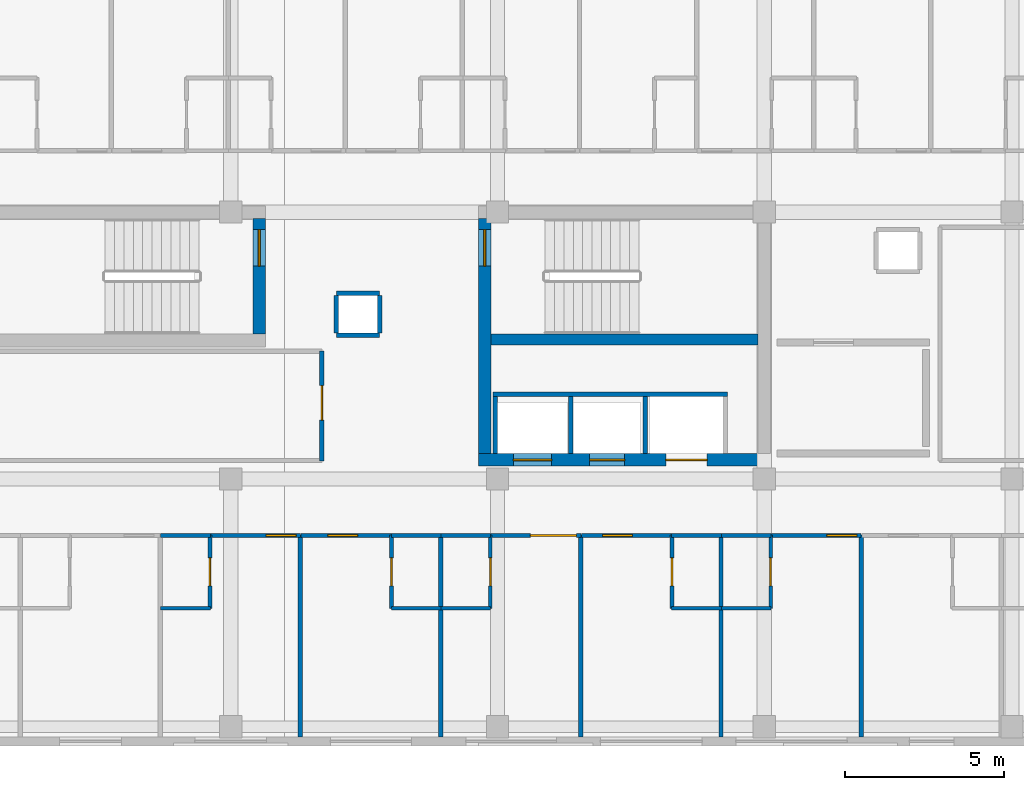
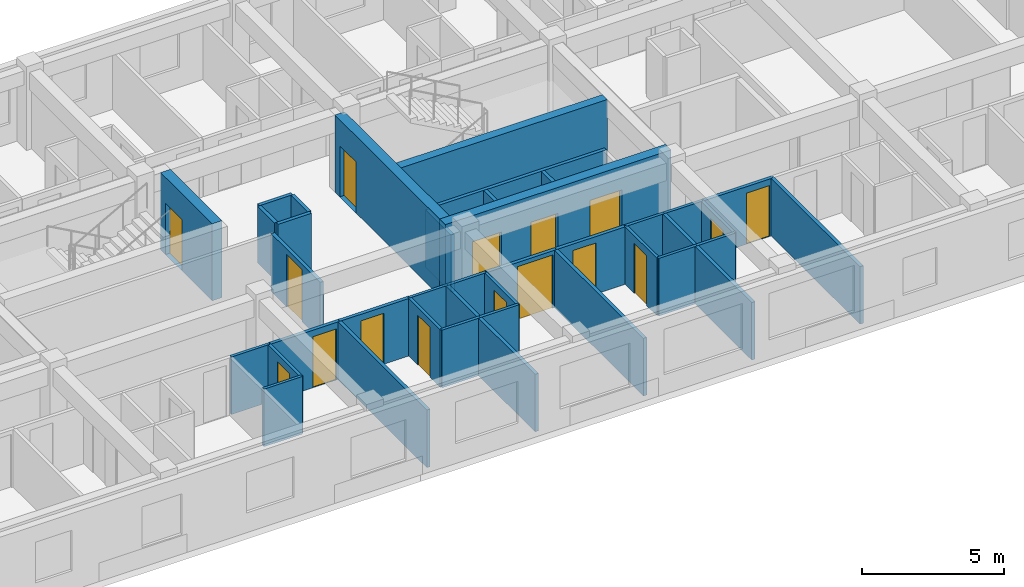
# One storey, part 6 of 13: 38 walls, 16 doors, 16 openings.
"""IFC4 building model written with IfcOpenShell, lengths in metres."""

from ifc_helpers import new_model, si_unit, direction, frame, frame_2d, origin, place, context, subcontext, project, spatial, rectangle, extrude, material, layer, layer_set, type_object, element, fill, save


model = new_model("IFC4")

# Units and contexts
model_context = context("Model", 3, precision=1e-05, world=origin(), true_north=direction((0.0, 1.0)))
body_context = subcontext(model_context, "Body", "Model", "MODEL_VIEW")
ifc_project = project(units=[si_unit("LENGTHUNIT", "METRE"), si_unit("AREAUNIT", "SQUARE_METRE"), si_unit("VOLUMEUNIT", "CUBIC_METRE"), si_unit("PLANEANGLEUNIT", "RADIAN"), si_unit("MASSUNIT", "GRAM", prefix="KILO")], contexts=[model_context])

# Site, building, storey
site_placement = place(None, origin())
site = spatial("IfcSite", under=ifc_project, at=site_placement, CompositionType="ELEMENT")
building_placement = place(site_placement, origin())
building = spatial("IfcBuilding", under=site, at=building_placement, Name="Zayran Congress Hotel", CompositionType="ELEMENT")
storey_placement = place(building_placement, frame((0.0, 0.0, 22.800048828125)))
storey = spatial("IfcBuildingStorey", under=building, at=storey_placement, Name="L05", CompositionType="ELEMENT", Elevation=22.800048828125)

# Wall, openings, doors
ifc_material_1 = material(Name="Concrete C40/50", Category="concrete")
ifc_layer_1 = layer(ifc_material_1, 0.39990234375)
ifc_layer_set_1 = layer_set([ifc_layer_1], Name="Concrete C40/50")
wall_type_1 = type_object("IfcWallType", Name="WL-SH-400", PredefinedType="SHEAR", material=ifc_layer_set_1)
wall_1_placement = place(storey_placement, frame((49.800048828125, 17.800048828125, 0.0), z_axis=(0.0, 0.0, 1.0), x_axis=(1.0, 0.0, 0.0)))
wall_1 = element("IfcWall", 1, at=wall_1_placement, inside=storey, type_object=wall_type_1, Name="CWALL-C-V5E-L05-S", PredefinedType="SHEAR", context=body_context, shape_type="SweptSolid", body=[
    extrude(rectangle(XDim=9.199951171875, YDim=0.39990234375, at=frame_2d((4.60009765625, 0.0))), origin(), (0.0, 0.0, 1.0), 3.320068359375),
])
opening_1_placement = place(wall_1_placement, frame((1.10009765625, 0.0, 0.0)))
opening_1 = element("IfcOpeningElement", 2, at=opening_1_placement, cuts=wall_1, Name="Opening LD-FL02", PredefinedType="OPENING", context=body_context, shape_type="SweptSolid", body=[
    extrude(rectangle(XDim=1.199951171875, YDim=2.199951171875, at=frame_2d((0.60009765625, 1.10009765625))), frame((0.0, 0.2099609375, 0.0), z_axis=(0.0, -1.0, 0.0), x_axis=(1.0, 0.0, 0.0)), (0.0, 0.0, 1.0), 0.419921875),
])
opening_2_placement = place(wall_1_placement, frame((3.5, 0.0, 0.0)))
opening_2 = element("IfcOpeningElement", 3, at=opening_2_placement, cuts=wall_1, Name="Opening LD-PL03", PredefinedType="OPENING", context=body_context, shape_type="SweptSolid", body=[
    extrude(rectangle(XDim=1.10009765625, YDim=2.199951171875, at=frame_2d((0.550048828125, 1.10009765625))), frame((0.0, 0.2099609375, 0.0), z_axis=(0.0, -1.0, 0.0), x_axis=(1.0, 0.0, 0.0)), (0.0, 0.0, 1.0), 0.419921875),
])
opening_3_placement = place(wall_1_placement, frame((5.89990234375, 0.0, 0.0)))
opening_3 = element("IfcOpeningElement", 4, at=opening_3_placement, cuts=wall_1, Name="Opening LD-SV01", PredefinedType="OPENING", context=body_context, shape_type="SweptSolid", body=[
    extrude(rectangle(XDim=1.300048828125, YDim=2.300048828125, at=frame_2d((0.64990234375, 1.14990234375))), frame((0.0, 0.2099609375, 0.0), z_axis=(0.0, -1.0, 0.0), x_axis=(1.0, 0.0, 0.0)), (0.0, 0.0, 1.0), 0.419921875),
])
ifc_material_2 = material(Name="Brushed stainless steel sliding lift landing door", Category="steel")
door_type_1 = type_object("IfcDoorType", Name="TP-DR-LD-01", OperationType="DOUBLE_DOOR_SLIDING", PredefinedType="DOOR", material=ifc_material_2)
door_1_placement = place(opening_2_placement, origin())
door_1 = element("IfcDoor", 5, at=door_1_placement, inside=storey, type_object=door_type_1, Name="Lift PL-03 Sliding Landing Door L05", OperationType="DOUBLE_DOOR_SLIDING", OverallHeight=2.199951171875, OverallWidth=1.10009765625, PredefinedType="DOOR", context=body_context, shape_type="SweptSolid", body=[
    extrude(rectangle(XDim=1.10009765625, YDim=2.199951171875, at=frame_2d((0.550048828125, 1.10009765625))), frame((0.0, 0.02490234375, 0.0), z_axis=(0.0, -1.0, 0.0), x_axis=(1.0, 0.0, 0.0)), (0.0, 0.0, 1.0), 0.050048828125),
])
fill(opening_2, door_1)
ifc_material_3 = material(Name="Brushed stainless steel firefighting lift landing door", Category="steel")
door_type_2 = type_object("IfcDoorType", Name="TP-DR-LD-02", OperationType="DOUBLE_DOOR_SLIDING", PredefinedType="DOOR", material=ifc_material_3)
door_2_placement = place(opening_1_placement, origin())
door_2 = element("IfcDoor", 6, at=door_2_placement, inside=storey, type_object=door_type_2, Name="Lift FL-02 Sliding Landing Door L05", OperationType="DOUBLE_DOOR_SLIDING", OverallHeight=2.199951171875, OverallWidth=1.199951171875, PredefinedType="DOOR", context=body_context, shape_type="SweptSolid", body=[
    extrude(rectangle(XDim=1.199951171875, YDim=2.199951171875, at=frame_2d((0.60009765625, 1.10009765625))), frame((0.0, 0.02490234375, 0.0), z_axis=(0.0, -1.0, 0.0), x_axis=(1.0, 0.0, 0.0)), (0.0, 0.0, 1.0), 0.050048828125),
])
fill(opening_1, door_2)
ifc_material_4 = material(Name="Heavy-duty stainless steel service lift landing door", Category="steel")
door_type_3 = type_object("IfcDoorType", Name="TP-DR-LD-03", OperationType="DOUBLE_DOOR_SLIDING", PredefinedType="DOOR", material=ifc_material_4)
door_3_placement = place(opening_3_placement, origin())
door_3 = element("IfcDoor", 7, at=door_3_placement, inside=storey, type_object=door_type_3, Name="Lift SV-01 Sliding Landing Door L05", OperationType="DOUBLE_DOOR_SLIDING", OverallHeight=2.300048828125, OverallWidth=1.300048828125, PredefinedType="DOOR", context=body_context, shape_type="SweptSolid", body=[
    extrude(rectangle(XDim=1.300048828125, YDim=2.300048828125, at=frame_2d((0.64990234375, 1.14990234375))), frame((0.0, 0.02490234375, 0.0), z_axis=(0.0, -1.0, 0.0), x_axis=(1.0, 0.0, 0.0)), (0.0, 0.0, 1.0), 0.050048828125),
])
fill(opening_3, door_3)

# Wall, opening, door
wall_2_placement = place(storey_placement, frame((50.0, 25.39990234375, 0.0), z_axis=(0.0, 0.0, 1.0), x_axis=(0.0, -1.0, 0.0)))
wall_2 = element("IfcWall", 8, at=wall_2_placement, inside=storey, type_object=wall_type_1, Name="CWALL-C-V5E-L05-W", PredefinedType="SHEAR", context=body_context, shape_type="SweptSolid", body=[
    extrude(rectangle(XDim=7.39990234375, YDim=0.39990234375, at=frame_2d((3.699951171875, 0.0))), origin(), (0.0, 0.0, 1.0), 3.320068359375),
])
opening_4_placement = place(wall_2_placement, frame((0.35009765625, 0.0, 0.0)))
opening_4 = element("IfcOpeningElement", 9, at=opening_4_placement, cuts=wall_2, Name="Opening DR-FD-90", PredefinedType="OPENING", context=body_context, shape_type="SweptSolid", body=[
    extrude(rectangle(XDim=1.14990234375, YDim=2.199951171875, at=frame_2d((0.574951171875, 1.10009765625))), frame((0.0, 0.2099609375, 0.0), z_axis=(0.0, -1.0, 0.0), x_axis=(1.0, 0.0, 0.0)), (0.0, 0.0, 1.0), 0.419921875),
])
ifc_material_5 = material(Name="Painted steel fire door assembly", Category="steel")
door_type_4 = type_object("IfcDoorType", Name="TP-DR-FD-90", OperationType="NOTDEFINED", PredefinedType="DOOR", material=ifc_material_5)
door_4_placement = place(opening_4_placement, origin())
door_4 = element("IfcDoor", 10, at=door_4_placement, inside=storey, type_object=door_type_4, Name="ST-02 Exit Stair Door L05", OperationType="SINGLE_SWING_LEFT", OverallHeight=2.199951171875, OverallWidth=1.14990234375, PredefinedType="DOOR", context=body_context, shape_type="SweptSolid", body=[
    extrude(rectangle(XDim=1.14990234375, YDim=2.199951171875, at=frame_2d((0.574951171875, 1.10009765625))), frame((0.0, 0.02490234375, 0.0), z_axis=(0.0, -1.0, 0.0), x_axis=(1.0, 0.0, 0.0)), (0.0, 0.0, 1.0), 0.050048828125),
])
fill(opening_4, door_4)

wall_3_placement = place(storey_placement, frame((42.89990234375, 21.760009765625, 0.0), z_axis=(0.0, 0.0, 1.0), x_axis=(0.0, 1.0, 0.0)))
wall_3 = element("IfcWall", 11, at=wall_3_placement, inside=storey, type_object=wall_type_1, Name="CWALL-C-V5M-L05-E", PredefinedType="SHEAR", context=body_context, shape_type="SweptSolid", body=[
    extrude(rectangle(XDim=3.639892578125, YDim=0.39990234375, at=frame_2d((1.81982421875, 0.0))), origin(), (0.0, 0.0, 1.0), 3.320068359375),
])
opening_5_placement = place(wall_3_placement, frame((2.139892578125, 0.0, 0.0)))
opening_5 = element("IfcOpeningElement", 12, at=opening_5_placement, cuts=wall_3, Name="Opening DR-FD-90", PredefinedType="OPENING", context=body_context, shape_type="SweptSolid", body=[
    extrude(rectangle(XDim=1.14990234375, YDim=2.199951171875, at=frame_2d((0.574951171875, 1.10009765625))), frame((0.0, 0.2099609375, 0.0), z_axis=(0.0, -1.0, 0.0), x_axis=(1.0, 0.0, 0.0)), (0.0, 0.0, 1.0), 0.419921875),
])
door_5_placement = place(opening_5_placement, origin())
door_5 = element("IfcDoor", 13, at=door_5_placement, inside=storey, type_object=door_type_4, Name="ST-13 Exit Stair Door L05", OperationType="SINGLE_SWING_LEFT", OverallHeight=2.199951171875, OverallWidth=1.14990234375, PredefinedType="DOOR", context=body_context, shape_type="SweptSolid", body=[
    extrude(rectangle(XDim=1.14990234375, YDim=2.199951171875, at=frame_2d((0.574951171875, 1.10009765625))), frame((0.0, 0.02490234375, 0.0), z_axis=(0.0, -1.0, 0.0), x_axis=(1.0, 0.0, 0.0)), (0.0, 0.0, 1.0), 0.050048828125),
])
fill(opening_5, door_5)

# Walls
ifc_layer_2 = layer(ifc_material_1, 0.35009765625)
ifc_layer_set_2 = layer_set([ifc_layer_2], Name="Concrete C40/50")
wall_type_2 = type_object("IfcWallType", Name="WL-SH-350", PredefinedType="SHEAR", material=ifc_layer_set_2)
wall_4_placement = place(storey_placement, frame((50.199951171875, 21.5849609375, 0.0), z_axis=(0.0, 0.0, 1.0), x_axis=(1.0, 0.0, 0.0)))
element("IfcWall", 14, at=wall_4_placement, inside=storey, type_object=wall_type_2, Name="CWALL-C-V5E-L05-SPN", PredefinedType="SHEAR", context=body_context, shape_type="SweptSolid", body=[
    extrude(rectangle(XDim=8.400146484375, YDim=0.35009765625, at=frame_2d((4.2001953125, 0.0))), origin(), (0.0, 0.0, 1.0), 3.320068359375),
])
ifc_material_6 = material(Name="Hospitality guestroom acoustic partition", Category="gypsum")
ifc_layer_3 = layer(ifc_material_6, 0.139892578125)
ifc_layer_set_3 = layer_set([ifc_layer_3], Name="Hospitality guestroom acoustic partition")
wall_type_3 = type_object("IfcWallType", Name="WL-PT-140", PredefinedType="PARTITIONING", material=ifc_layer_set_3)
for number, where, z_axis, x_axis, name in (
    (15, (50.330078125, 18.0, 0.0), (0.0, 0.0, 1.0), (0.0, 1.0, 0.0), "LSHW-C-V5E-L05-W"),
    (16, (52.699951171875, 18.0, 0.0), (0.0, 0.0, 1.0), (0.0, 1.0, 0.0), "LSHW-C-V5E-L05-DIV1"),
    (17, (55.050048828125, 18.0, 0.0), (0.0, 0.0, 1.0), (0.0, 1.0, 0.0), "LSHW-C-V5E-L05-DIV2"),
):
    element("IfcWall", number, at=place(storey_placement, frame(where, z_axis=z_axis, x_axis=x_axis)), inside=storey, type_object=wall_type_3, Name=name, PredefinedType="PARTITIONING", context=body_context, shape_type="SweptSolid", body=[
        extrude(rectangle(XDim=1.800048828125, YDim=0.139892578125, at=frame_2d((0.89990234375, 0.0))), origin(), (0.0, 0.0, 1.0), 2.469970703125),
    ])
wall_5_placement = place(storey_placement, frame((50.260009765625, 19.8701171875, 0.0), z_axis=(0.0, 0.0, 1.0), x_axis=(1.0, 0.0, 0.0)))
element("IfcWall", 18, at=wall_5_placement, inside=storey, type_object=wall_type_3, Name="LSHW-C-V5E-L05-N", PredefinedType="PARTITIONING", context=body_context, shape_type="SweptSolid", body=[
    extrude(rectangle(XDim=7.3798828125, YDim=0.139892578125, at=frame_2d((3.68994140625, 0.0))), origin(), (0.0, 0.0, 1.0), 2.469970703125),
])

# Wall, opening, door
wall_6_placement = place(storey_placement, frame((44.8701171875, 17.77001953125, 0.0), z_axis=(0.0, 0.0, 1.0), x_axis=(0.0, 1.0, 0.0)))
wall_6 = element("IfcWall", 19, at=wall_6_placement, inside=storey, type_object=wall_type_3, Name="IW-L05-0654", PredefinedType="PARTITIONING", context=body_context, shape_type="SweptSolid", body=[
    extrude(rectangle(XDim=3.4599609375, YDim=0.139892578125, at=frame_2d((1.72998046875, 0.0))), origin(), (0.0, 0.0, 1.0), 2.47998046875),
])
opening_6_placement = place(wall_6_placement, frame((1.283935546875, 0.0, 0.0)))
opening_6 = element("IfcOpeningElement", 20, at=opening_6_placement, cuts=wall_6, Name="Opening DR-MT-01", PredefinedType="OPENING", context=body_context, shape_type="SweptSolid", body=[
    extrude(rectangle(XDim=1.080078125, YDim=2.25, at=frame_2d((0.5400390625, 1.125))), frame((0.0, 0.079833984375, 0.0), z_axis=(0.0, -1.0, 0.0), x_axis=(1.0, 0.0, 0.0)), (0.0, 0.0, 1.0), 0.159912109375),
])
ifc_material_7 = material(Name="Acoustic timber seminar room door", Category="wood")
door_type_5 = type_object("IfcDoorType", Name="TP-DR-MT-01", OperationType="NOTDEFINED", PredefinedType="DOOR", material=ifc_material_7)
door_6_placement = place(opening_6_placement, origin())
door_6 = element("IfcDoor", 21, at=door_6_placement, inside=storey, type_object=door_type_5, Name="Hospitality Gallery Lounge L05 Door", OperationType="SINGLE_SWING_LEFT", OverallHeight=2.25, OverallWidth=1.080078125, PredefinedType="DOOR", context=body_context, shape_type="SweptSolid", body=[
    extrude(rectangle(XDim=1.080078125, YDim=2.25, at=frame_2d((0.5400390625, 1.125))), frame((0.0, 0.02490234375, 0.0), z_axis=(0.0, -1.0, 0.0), x_axis=(1.0, 0.0, 0.0)), (0.0, 0.0, 1.0), 0.050048828125),
])
fill(opening_6, door_6)

wall_7_placement = place(storey_placement, frame((41.346923828125, 15.419921875, 0.0), z_axis=(0.0, 0.0, 1.0), x_axis=(1.0, 0.0, 0.0)))
wall_7 = element("IfcWall", 22, at=wall_7_placement, inside=storey, type_object=wall_type_3, Name="IW-L05-0664", PredefinedType="PARTITIONING", context=body_context, shape_type="SweptSolid", body=[
    extrude(rectangle(XDim=2.85009765625, YDim=0.139892578125, at=frame_2d((1.425048828125, 0.0))), origin(), (0.0, 0.0, 1.0), 2.47998046875),
])
opening_7_placement = place(wall_7_placement, frame((1.77001953125, 0.0, 0.0)))
opening_7 = element("IfcOpeningElement", 23, at=opening_7_placement, cuts=wall_7, Name="Opening DR-GR-01", PredefinedType="OPENING", context=body_context, shape_type="SweptSolid", body=[
    extrude(rectangle(XDim=0.93994140625, YDim=2.199951171875, at=frame_2d((0.469970703125, 1.10009765625))), frame((0.0, 0.079833984375, 0.0), z_axis=(0.0, -1.0, 0.0), x_axis=(1.0, 0.0, 0.0)), (0.0, 0.0, 1.0), 0.159912109375),
])
ifc_material_8 = material(Name="Acoustic walnut veneer fire-rated entry door", Category="wood")
door_type_6 = type_object("IfcDoorType", Name="TP-DR-GR-01", OperationType="NOTDEFINED", PredefinedType="DOOR", material=ifc_material_8)
door_7_placement = place(opening_7_placement, origin())
door_7 = element("IfcDoor", 24, at=door_7_placement, inside=storey, type_object=door_type_6, Name="Guest Room L05-08 Door", OperationType="SINGLE_SWING_RIGHT", OverallHeight=2.199951171875, OverallWidth=0.93994140625, PredefinedType="DOOR", context=body_context, shape_type="SweptSolid", body=[
    extrude(rectangle(XDim=0.93994140625, YDim=2.199951171875, at=frame_2d((0.469970703125, 1.10009765625))), frame((0.0, 0.02490234375, 0.0), z_axis=(0.0, -1.0, 0.0), x_axis=(1.0, 0.0, 0.0)), (0.0, 0.0, 1.0), 0.050048828125),
])
fill(opening_7, door_7)

wall_8_placement = place(storey_placement, frame((44.217041015625, 15.419921875, 0.0), z_axis=(0.0, 0.0, 1.0), x_axis=(1.0, 0.0, 0.0)))
wall_8 = element("IfcWall", 25, at=wall_8_placement, inside=storey, type_object=wall_type_3, Name="IW-L05-0665", PredefinedType="PARTITIONING", context=body_context, shape_type="SweptSolid", body=[
    extrude(rectangle(XDim=2.849853515625, YDim=0.139892578125, at=frame_2d((1.4248046875, 0.0))), origin(), (0.0, 0.0, 1.0), 2.47998046875),
])
opening_8_placement = place(wall_8_placement, frame((0.839111328125, 0.0, 0.0)))
opening_8 = element("IfcOpeningElement", 26, at=opening_8_placement, cuts=wall_8, Name="Opening DR-GR-01", PredefinedType="OPENING", context=body_context, shape_type="SweptSolid", body=[
    extrude(rectangle(XDim=0.93994140625, YDim=2.199951171875, at=frame_2d((0.469970703125, 1.10009765625))), frame((0.0, 0.079833984375, 0.0), z_axis=(0.0, -1.0, 0.0), x_axis=(1.0, 0.0, 0.0)), (0.0, 0.0, 1.0), 0.159912109375),
])
door_8_placement = place(opening_8_placement, origin())
door_8 = element("IfcDoor", 27, at=door_8_placement, inside=storey, type_object=door_type_6, Name="Guest Room L05-09 Door", OperationType="SINGLE_SWING_LEFT", OverallHeight=2.199951171875, OverallWidth=0.93994140625, PredefinedType="DOOR", context=body_context, shape_type="SweptSolid", body=[
    extrude(rectangle(XDim=0.93994140625, YDim=2.199951171875, at=frame_2d((0.469970703125, 1.10009765625))), frame((0.0, 0.02490234375, 0.0), z_axis=(0.0, -1.0, 0.0), x_axis=(1.0, 0.0, 0.0)), (0.0, 0.0, 1.0), 0.050048828125),
])
fill(opening_8, door_8)

wall_9_placement = place(storey_placement, frame((50.173095703125, 15.419921875, 0.0), z_axis=(0.0, 0.0, 1.0), x_axis=(1.0, 0.0, 0.0)))
wall_9 = element("IfcWall", 28, at=wall_9_placement, inside=storey, type_object=wall_type_3, Name="IW-L05-0666", PredefinedType="PARTITIONING", context=body_context, shape_type="SweptSolid", body=[
    extrude(rectangle(XDim=2.849853515625, YDim=0.139892578125, at=frame_2d((1.4248046875, 0.0))), origin(), (0.0, 0.0, 1.0), 2.47998046875),
])
opening_9_placement = place(wall_9_placement, frame((1.260009765625, 0.0, 0.0)))
opening_9 = element("IfcOpeningElement", 29, at=opening_9_placement, cuts=wall_9, Name="Opening DR-ST-01", PredefinedType="OPENING", context=body_context, shape_type="SweptSolid", body=[
    extrude(rectangle(XDim=1.449951171875, YDim=2.300048828125, at=frame_2d((0.72509765625, 1.14990234375))), frame((0.0, 0.079833984375, 0.0), z_axis=(0.0, -1.0, 0.0), x_axis=(1.0, 0.0, 0.0)), (0.0, 0.0, 1.0), 0.159912109375),
])
ifc_material_9 = material(Name="Double walnut veneer suite entry door", Category="wood")
door_type_7 = type_object("IfcDoorType", Name="TP-DR-ST-01", OperationType="DOUBLE_DOOR_SINGLE_SWING", PredefinedType="DOOR", material=ifc_material_9)
door_9_placement = place(opening_9_placement, origin())
door_9 = element("IfcDoor", 30, at=door_9_placement, inside=storey, type_object=door_type_7, Name="Junior Suite L05-10 Door", OperationType="DOUBLE_DOOR_SINGLE_SWING", OverallHeight=2.300048828125, OverallWidth=1.449951171875, PredefinedType="DOOR", context=body_context, shape_type="SweptSolid", body=[
    extrude(rectangle(XDim=1.449951171875, YDim=2.300048828125, at=frame_2d((0.72509765625, 1.14990234375))), frame((0.0, 0.02490234375, 0.0), z_axis=(0.0, -1.0, 0.0), x_axis=(1.0, 0.0, 0.0)), (0.0, 0.0, 1.0), 0.050048828125),
])
fill(opening_9, door_9)

wall_10_placement = place(storey_placement, frame((53.04296875, 15.419921875, 0.0), z_axis=(0.0, 0.0, 1.0), x_axis=(1.0, 0.0, 0.0)))
wall_10 = element("IfcWall", 31, at=wall_10_placement, inside=storey, type_object=wall_type_3, Name="IW-L05-0667", PredefinedType="PARTITIONING", context=body_context, shape_type="SweptSolid", body=[
    extrude(rectangle(XDim=2.85009765625, YDim=0.139892578125, at=frame_2d((1.425048828125, 0.0))), origin(), (0.0, 0.0, 1.0), 2.47998046875),
])
opening_10_placement = place(wall_10_placement, frame((0.6640625, 0.0, 0.0)))
opening_10 = element("IfcOpeningElement", 32, at=opening_10_placement, cuts=wall_10, Name="Opening DR-GR-01", PredefinedType="OPENING", context=body_context, shape_type="SweptSolid", body=[
    extrude(rectangle(XDim=0.93994140625, YDim=2.199951171875, at=frame_2d((0.469970703125, 1.10009765625))), frame((0.0, 0.079833984375, 0.0), z_axis=(0.0, -1.0, 0.0), x_axis=(1.0, 0.0, 0.0)), (0.0, 0.0, 1.0), 0.159912109375),
])
door_10_placement = place(opening_10_placement, origin())
door_10 = element("IfcDoor", 33, at=door_10_placement, inside=storey, type_object=door_type_6, Name="Guest Room L05-11 Door", OperationType="SINGLE_SWING_RIGHT", OverallHeight=2.199951171875, OverallWidth=0.93994140625, PredefinedType="DOOR", context=body_context, shape_type="SweptSolid", body=[
    extrude(rectangle(XDim=0.93994140625, YDim=2.199951171875, at=frame_2d((0.469970703125, 1.10009765625))), frame((0.0, 0.02490234375, 0.0), z_axis=(0.0, -1.0, 0.0), x_axis=(1.0, 0.0, 0.0)), (0.0, 0.0, 1.0), 0.050048828125),
])
fill(opening_10, door_10)

wall_11_placement = place(storey_placement, frame((59.0, 15.419921875, 0.0), z_axis=(0.0, 0.0, 1.0), x_axis=(1.0, 0.0, 0.0)))
wall_11 = element("IfcWall", 34, at=wall_11_placement, inside=storey, type_object=wall_type_3, Name="IW-L05-0668", PredefinedType="PARTITIONING", context=body_context, shape_type="SweptSolid", body=[
    extrude(rectangle(XDim=2.85009765625, YDim=0.139892578125, at=frame_2d((1.425048828125, 0.0))), origin(), (0.0, 0.0, 1.0), 2.47998046875),
])
opening_11_placement = place(wall_11_placement, frame((1.77001953125, 0.0, 0.0)))
opening_11 = element("IfcOpeningElement", 35, at=opening_11_placement, cuts=wall_11, Name="Opening DR-GR-01", PredefinedType="OPENING", context=body_context, shape_type="SweptSolid", body=[
    extrude(rectangle(XDim=0.93994140625, YDim=2.199951171875, at=frame_2d((0.469970703125, 1.10009765625))), frame((0.0, 0.079833984375, 0.0), z_axis=(0.0, -1.0, 0.0), x_axis=(1.0, 0.0, 0.0)), (0.0, 0.0, 1.0), 0.159912109375),
])
door_11_placement = place(opening_11_placement, origin())
door_11 = element("IfcDoor", 36, at=door_11_placement, inside=storey, type_object=door_type_6, Name="Guest Room L05-12 Door", OperationType="SINGLE_SWING_LEFT", OverallHeight=2.199951171875, OverallWidth=0.93994140625, PredefinedType="DOOR", context=body_context, shape_type="SweptSolid", body=[
    extrude(rectangle(XDim=0.93994140625, YDim=2.199951171875, at=frame_2d((0.469970703125, 1.10009765625))), frame((0.0, 0.02490234375, 0.0), z_axis=(0.0, -1.0, 0.0), x_axis=(1.0, 0.0, 0.0)), (0.0, 0.0, 1.0), 0.050048828125),
])
fill(opening_11, door_11)

# Walls
for number, where, z_axis, x_axis, name in (
    (37, (44.197021484375, 9.080078125, 0.0), (0.0, 0.0, 1.0), (0.0, 1.0, 0.0), "IW-L05-1993"),
    (38, (48.610107421875, 9.080078125, 0.0), (0.0, 0.0, 1.0), (0.0, 1.0, 0.0), "IW-L05-1994"),
    (39, (53.02294921875, 9.080078125, 0.0), (0.0, 0.0, 1.0), (0.0, 1.0, 0.0), "IW-L05-1995"),
    (40, (57.43701171875, 9.080078125, 0.0), (0.0, 0.0, 1.0), (0.0, 1.0, 0.0), "IW-L05-1996"),
    (41, (61.85009765625, 9.080078125, 0.0), (0.0, 0.0, 1.0), (0.0, 1.0, 0.0), "IW-L05-1997"),
):
    element("IfcWall", number, at=place(storey_placement, frame(where, z_axis=z_axis, x_axis=x_axis)), inside=storey, type_object=wall_type_3, Name=name, PredefinedType="PARTITIONING", context=body_context, shape_type="SweptSolid", body=[
        extrude(rectangle(XDim=6.349853515625, YDim=0.139892578125, at=frame_2d((3.1748046875, 0.0))), origin(), (0.0, 0.0, 1.0), 2.47998046875),
    ])
for number, where, z_axis, x_axis, name in (
    (42, (45.330078125, 21.72998046875, 0.0), (0.0, 0.0, 1.0), (1.0, 0.0, 0.0), "RSWL-V5-L05-039-S"),
    (43, (46.68994140625, 23.050048828125, 0.0), (0.0, 0.0, 1.0), (-1.0, 0.0, 0.0), "RSWL-V5-L05-039-N"),
):
    element("IfcWall", number, at=place(storey_placement, frame(where, z_axis=z_axis, x_axis=x_axis)), inside=storey, type_object=wall_type_3, Name=name, PredefinedType="PARTITIONING", context=body_context, shape_type="SweptSolid", body=[
        extrude(rectangle(XDim=1.35986328125, YDim=0.139892578125, at=frame_2d((0.679931640625, 0.0))), origin(), (0.0, 0.0, 1.0), 2.43994140625),
    ])
for number, where, z_axis, x_axis, name in (
    (44, (45.330078125, 22.97998046875, 0.0), (0.0, 0.0, 1.0), (0.0, -1.0, 0.0), "RSWL-V5-L05-039-W"),
    (45, (46.68994140625, 21.800048828125, 0.0), (0.0, 0.0, 1.0), (0.0, 1.0, 0.0), "RSWL-V5-L05-039-E"),
):
    element("IfcWall", number, at=place(storey_placement, frame(where, z_axis=z_axis, x_axis=x_axis)), inside=storey, type_object=wall_type_3, Name=name, PredefinedType="PARTITIONING", context=body_context, shape_type="SweptSolid", body=[
        extrude(rectangle(XDim=1.179931640625, YDim=0.139892578125, at=frame_2d((0.58984375, 0.0))), origin(), (0.0, 0.0, 1.0), 2.43994140625),
    ])

# Wall, opening, door
ifc_material_10 = material(Name="Moisture-resistant bathroom partition", Category="gypsum")
ifc_layer_4 = layer(ifc_material_10, 0.1201171875)
ifc_layer_set_4 = layer_set([ifc_layer_4], Name="Moisture-resistant bathroom partition")
wall_type_4 = type_object("IfcWallType", Name="WL-PT-120", PredefinedType="PARTITIONING", material=ifc_layer_set_4)
wall_12_placement = place(storey_placement, frame((41.346923828125, 13.1201171875, 0.0), z_axis=(0.0, 0.0, 1.0), x_axis=(0.0, 1.0, 0.0)))
wall_12 = element("IfcWall", 46, at=wall_12_placement, inside=storey, type_object=wall_type_4, Name="IW-L05-0168", PredefinedType="PARTITIONING", context=body_context, shape_type="SweptSolid", body=[
    extrude(rectangle(XDim=2.309814453125, YDim=0.1201171875, at=frame_2d((1.15478515625, 0.0))), origin(), (0.0, 0.0, 1.0), 2.47998046875),
])
opening_12_placement = place(wall_12_placement, frame((0.715087890625, 0.0, 0.0)))
opening_12 = element("IfcOpeningElement", 47, at=opening_12_placement, cuts=wall_12, Name="Opening DR-BT-01", PredefinedType="OPENING", context=body_context, shape_type="SweptSolid", body=[
    extrude(rectangle(XDim=0.8798828125, YDim=2.14990234375, at=frame_2d((0.43994140625, 1.074951171875))), frame((0.0, 0.070068359375, 0.0), z_axis=(0.0, -1.0, 0.0), x_axis=(1.0, 0.0, 0.0)), (0.0, 0.0, 1.0), 0.14013671875),
])
ifc_material_11 = material(Name="Moisture-resistant oak en-suite door", Category="wood")
door_type_8 = type_object("IfcDoorType", Name="TP-DR-BT-01", OperationType="NOTDEFINED", PredefinedType="DOOR", material=ifc_material_11)
door_12_placement = place(opening_12_placement, origin())
door_12 = element("IfcDoor", 48, at=door_12_placement, inside=storey, type_object=door_type_8, Name="En-Suite Bathroom L05-08 Door", OperationType="SINGLE_SWING_LEFT", OverallHeight=2.14990234375, OverallWidth=0.8798828125, PredefinedType="DOOR", context=body_context, shape_type="SweptSolid", body=[
    extrude(rectangle(XDim=0.8798828125, YDim=2.14990234375, at=frame_2d((0.43994140625, 1.074951171875))), frame((0.0, 0.02490234375, 0.0), z_axis=(0.0, -1.0, 0.0), x_axis=(1.0, 0.0, 0.0)), (0.0, 0.0, 1.0), 0.050048828125),
])
fill(opening_12, door_12)

wall_13_placement = place(storey_placement, frame((47.06689453125, 13.1201171875, 0.0), z_axis=(0.0, 0.0, 1.0), x_axis=(0.0, 1.0, 0.0)))
wall_13 = element("IfcWall", 49, at=wall_13_placement, inside=storey, type_object=wall_type_4, Name="IW-L05-0169", PredefinedType="PARTITIONING", context=body_context, shape_type="SweptSolid", body=[
    extrude(rectangle(XDim=2.309814453125, YDim=0.1201171875, at=frame_2d((1.15478515625, 0.0))), origin(), (0.0, 0.0, 1.0), 2.47998046875),
])
opening_13_placement = place(wall_13_placement, frame((0.715087890625, 0.0, 0.0)))
opening_13 = element("IfcOpeningElement", 50, at=opening_13_placement, cuts=wall_13, Name="Opening DR-BT-01", PredefinedType="OPENING", context=body_context, shape_type="SweptSolid", body=[
    extrude(rectangle(XDim=0.8798828125, YDim=2.14990234375, at=frame_2d((0.43994140625, 1.074951171875))), frame((0.0, 0.070068359375, 0.0), z_axis=(0.0, -1.0, 0.0), x_axis=(1.0, 0.0, 0.0)), (0.0, 0.0, 1.0), 0.14013671875),
])
door_13_placement = place(opening_13_placement, origin())
door_13 = element("IfcDoor", 51, at=door_13_placement, inside=storey, type_object=door_type_8, Name="En-Suite Bathroom L05-09 Door", OperationType="SINGLE_SWING_RIGHT", OverallHeight=2.14990234375, OverallWidth=0.8798828125, PredefinedType="DOOR", context=body_context, shape_type="SweptSolid", body=[
    extrude(rectangle(XDim=0.8798828125, YDim=2.14990234375, at=frame_2d((0.43994140625, 1.074951171875))), frame((0.0, 0.02490234375, 0.0), z_axis=(0.0, -1.0, 0.0), x_axis=(1.0, 0.0, 0.0)), (0.0, 0.0, 1.0), 0.050048828125),
])
fill(opening_13, door_13)

wall_14_placement = place(storey_placement, frame((50.173095703125, 13.1201171875, 0.0), z_axis=(0.0, 0.0, 1.0), x_axis=(0.0, 1.0, 0.0)))
wall_14 = element("IfcWall", 52, at=wall_14_placement, inside=storey, type_object=wall_type_4, Name="IW-L05-0170", PredefinedType="PARTITIONING", context=body_context, shape_type="SweptSolid", body=[
    extrude(rectangle(XDim=2.309814453125, YDim=0.1201171875, at=frame_2d((1.15478515625, 0.0))), origin(), (0.0, 0.0, 1.0), 2.47998046875),
])
opening_14_placement = place(wall_14_placement, frame((0.715087890625, 0.0, 0.0)))
opening_14 = element("IfcOpeningElement", 53, at=opening_14_placement, cuts=wall_14, Name="Opening DR-BT-01", PredefinedType="OPENING", context=body_context, shape_type="SweptSolid", body=[
    extrude(rectangle(XDim=0.8798828125, YDim=2.14990234375, at=frame_2d((0.43994140625, 1.074951171875))), frame((0.0, 0.070068359375, 0.0), z_axis=(0.0, -1.0, 0.0), x_axis=(1.0, 0.0, 0.0)), (0.0, 0.0, 1.0), 0.14013671875),
])
door_14_placement = place(opening_14_placement, origin())
door_14 = element("IfcDoor", 54, at=door_14_placement, inside=storey, type_object=door_type_8, Name="En-Suite Bathroom L05-10 Door", OperationType="SINGLE_SWING_LEFT", OverallHeight=2.14990234375, OverallWidth=0.8798828125, PredefinedType="DOOR", context=body_context, shape_type="SweptSolid", body=[
    extrude(rectangle(XDim=0.8798828125, YDim=2.14990234375, at=frame_2d((0.43994140625, 1.074951171875))), frame((0.0, 0.02490234375, 0.0), z_axis=(0.0, -1.0, 0.0), x_axis=(1.0, 0.0, 0.0)), (0.0, 0.0, 1.0), 0.050048828125),
])
fill(opening_14, door_14)

wall_15_placement = place(storey_placement, frame((55.89306640625, 13.1201171875, 0.0), z_axis=(0.0, 0.0, 1.0), x_axis=(0.0, 1.0, 0.0)))
wall_15 = element("IfcWall", 55, at=wall_15_placement, inside=storey, type_object=wall_type_4, Name="IW-L05-0171", PredefinedType="PARTITIONING", context=body_context, shape_type="SweptSolid", body=[
    extrude(rectangle(XDim=2.309814453125, YDim=0.1201171875, at=frame_2d((1.15478515625, 0.0))), origin(), (0.0, 0.0, 1.0), 2.47998046875),
])
opening_15_placement = place(wall_15_placement, frame((0.715087890625, 0.0, 0.0)))
opening_15 = element("IfcOpeningElement", 56, at=opening_15_placement, cuts=wall_15, Name="Opening DR-BT-01", PredefinedType="OPENING", context=body_context, shape_type="SweptSolid", body=[
    extrude(rectangle(XDim=0.8798828125, YDim=2.14990234375, at=frame_2d((0.43994140625, 1.074951171875))), frame((0.0, 0.070068359375, 0.0), z_axis=(0.0, -1.0, 0.0), x_axis=(1.0, 0.0, 0.0)), (0.0, 0.0, 1.0), 0.14013671875),
])
door_15_placement = place(opening_15_placement, origin())
door_15 = element("IfcDoor", 57, at=door_15_placement, inside=storey, type_object=door_type_8, Name="En-Suite Bathroom L05-11 Door", OperationType="SINGLE_SWING_RIGHT", OverallHeight=2.14990234375, OverallWidth=0.8798828125, PredefinedType="DOOR", context=body_context, shape_type="SweptSolid", body=[
    extrude(rectangle(XDim=0.8798828125, YDim=2.14990234375, at=frame_2d((0.43994140625, 1.074951171875))), frame((0.0, 0.02490234375, 0.0), z_axis=(0.0, -1.0, 0.0), x_axis=(1.0, 0.0, 0.0)), (0.0, 0.0, 1.0), 0.050048828125),
])
fill(opening_15, door_15)

wall_16_placement = place(storey_placement, frame((59.0, 13.1201171875, 0.0), z_axis=(0.0, 0.0, 1.0), x_axis=(0.0, 1.0, 0.0)))
wall_16 = element("IfcWall", 58, at=wall_16_placement, inside=storey, type_object=wall_type_4, Name="IW-L05-0172", PredefinedType="PARTITIONING", context=body_context, shape_type="SweptSolid", body=[
    extrude(rectangle(XDim=2.309814453125, YDim=0.1201171875, at=frame_2d((1.15478515625, 0.0))), origin(), (0.0, 0.0, 1.0), 2.47998046875),
])
opening_16_placement = place(wall_16_placement, frame((0.715087890625, 0.0, 0.0)))
opening_16 = element("IfcOpeningElement", 59, at=opening_16_placement, cuts=wall_16, Name="Opening DR-BT-01", PredefinedType="OPENING", context=body_context, shape_type="SweptSolid", body=[
    extrude(rectangle(XDim=0.8798828125, YDim=2.14990234375, at=frame_2d((0.43994140625, 1.074951171875))), frame((0.0, 0.070068359375, 0.0), z_axis=(0.0, -1.0, 0.0), x_axis=(1.0, 0.0, 0.0)), (0.0, 0.0, 1.0), 0.14013671875),
])
door_16_placement = place(opening_16_placement, origin())
door_16 = element("IfcDoor", 60, at=door_16_placement, inside=storey, type_object=door_type_8, Name="En-Suite Bathroom L05-12 Door", OperationType="SINGLE_SWING_LEFT", OverallHeight=2.14990234375, OverallWidth=0.8798828125, PredefinedType="DOOR", context=body_context, shape_type="SweptSolid", body=[
    extrude(rectangle(XDim=0.8798828125, YDim=2.14990234375, at=frame_2d((0.43994140625, 1.074951171875))), frame((0.0, 0.02490234375, 0.0), z_axis=(0.0, -1.0, 0.0), x_axis=(1.0, 0.0, 0.0)), (0.0, 0.0, 1.0), 0.050048828125),
])
fill(opening_16, door_16)

# Walls
for number, where, z_axis, x_axis, name in (
    (61, (39.79296875, 13.1298828125, 0.0), (0.0, 0.0, 1.0), (1.0, 0.0, 0.0), "IW-L05-1203"),
    (62, (39.79296875, 15.419921875, 0.0), (0.0, 0.0, 1.0), (1.0, 0.0, 0.0), "IW-L05-1204"),
):
    element("IfcWall", number, at=place(storey_placement, frame(where, z_axis=z_axis, x_axis=x_axis)), inside=storey, type_object=wall_type_4, Name=name, PredefinedType="PARTITIONING", context=body_context, shape_type="SweptSolid", body=[
        extrude(rectangle(XDim=1.56396484375, YDim=0.1201171875, at=frame_2d((0.781982421875, 0.0))), origin(), (0.0, 0.0, 1.0), 2.47998046875),
    ])
for number, where, z_axis, x_axis, name in (
    (63, (47.056884765625, 13.1298828125, 0.0), (0.0, 0.0, 1.0), (1.0, 0.0, 0.0), "IW-L05-1205"),
    (64, (47.056884765625, 15.419921875, 0.0), (0.0, 0.0, 1.0), (1.0, 0.0, 0.0), "IW-L05-1206"),
):
    element("IfcWall", number, at=place(storey_placement, frame(where, z_axis=z_axis, x_axis=x_axis)), inside=storey, type_object=wall_type_4, Name=name, PredefinedType="PARTITIONING", context=body_context, shape_type="SweptSolid", body=[
        extrude(rectangle(XDim=1.563232421875, YDim=0.1201171875, at=frame_2d((0.78173828125, 0.0))), origin(), (0.0, 0.0, 1.0), 2.47998046875),
    ])
for number, where, z_axis, x_axis, name in (
    (65, (48.6201171875, 13.1298828125, 0.0), (0.0, 0.0, 1.0), (1.0, 0.0, 0.0), "IW-L05-1207"),
    (66, (48.6201171875, 15.419921875, 0.0), (0.0, 0.0, 1.0), (1.0, 0.0, 0.0), "IW-L05-1208"),
):
    element("IfcWall", number, at=place(storey_placement, frame(where, z_axis=z_axis, x_axis=x_axis)), inside=storey, type_object=wall_type_4, Name=name, PredefinedType="PARTITIONING", context=body_context, shape_type="SweptSolid", body=[
        extrude(rectangle(XDim=1.56298828125, YDim=0.1201171875, at=frame_2d((0.781494140625, 0.0))), origin(), (0.0, 0.0, 1.0), 2.47998046875),
    ])
for number, where, z_axis, x_axis, name in (
    (67, (55.883056640625, 13.1298828125, 0.0), (0.0, 0.0, 1.0), (1.0, 0.0, 0.0), "IW-L05-1209"),
    (68, (55.883056640625, 15.419921875, 0.0), (0.0, 0.0, 1.0), (1.0, 0.0, 0.0), "IW-L05-1210"),
):
    element("IfcWall", number, at=place(storey_placement, frame(where, z_axis=z_axis, x_axis=x_axis)), inside=storey, type_object=wall_type_4, Name=name, PredefinedType="PARTITIONING", context=body_context, shape_type="SweptSolid", body=[
        extrude(rectangle(XDim=1.56396484375, YDim=0.1201171875, at=frame_2d((0.781982421875, 0.0))), origin(), (0.0, 0.0, 1.0), 2.47998046875),
    ])
for number, where, z_axis, x_axis, name in (
    (69, (57.447021484375, 13.1298828125, 0.0), (0.0, 0.0, 1.0), (1.0, 0.0, 0.0), "IW-L05-1211"),
    (70, (57.447021484375, 15.419921875, 0.0), (0.0, 0.0, 1.0), (1.0, 0.0, 0.0), "IW-L05-1212"),
):
    element("IfcWall", number, at=place(storey_placement, frame(where, z_axis=z_axis, x_axis=x_axis)), inside=storey, type_object=wall_type_4, Name=name, PredefinedType="PARTITIONING", context=body_context, shape_type="SweptSolid", body=[
        extrude(rectangle(XDim=1.56298828125, YDim=0.1201171875, at=frame_2d((0.781494140625, 0.0))), origin(), (0.0, 0.0, 1.0), 2.47998046875),
    ])

save(model, "model.ifc")
